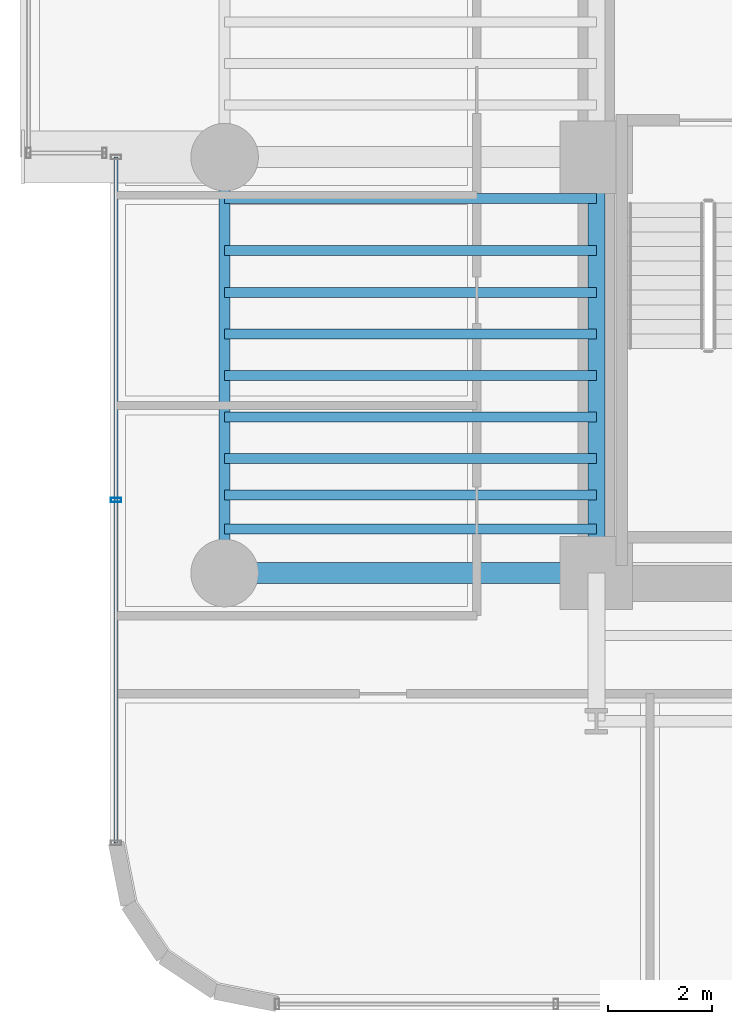
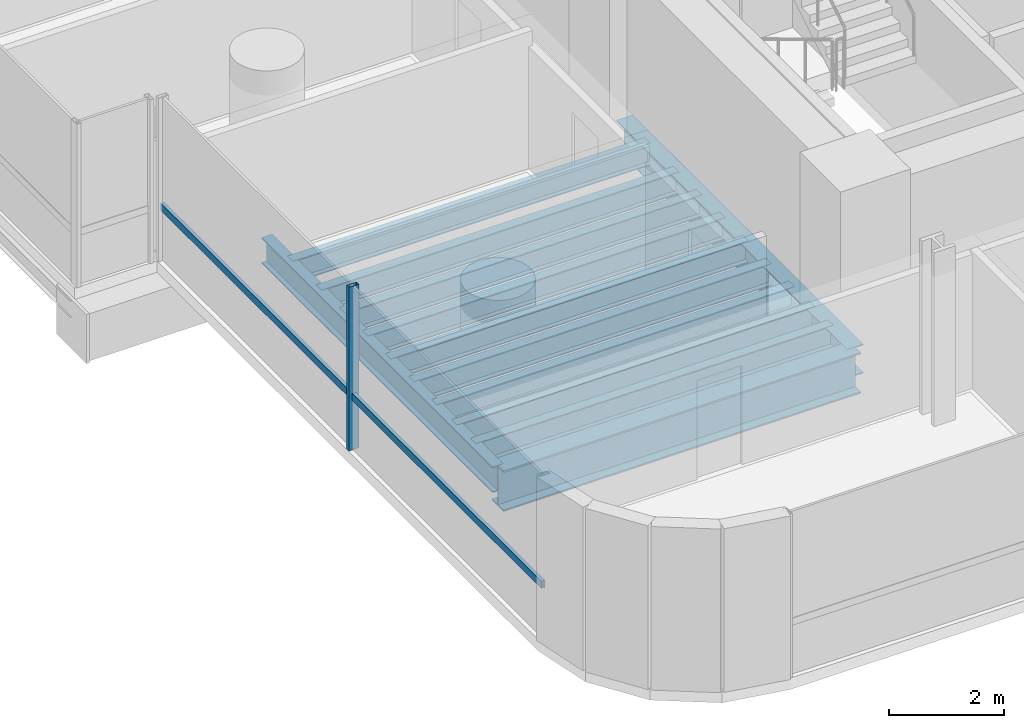
# One storey, part 4 of 38: 12 beams, 2 members, 1 element without a shape of its own.
"""IFC4 building model written with IfcOpenShell, lengths in metres."""

from ifc_helpers import new_model, si_unit, direction, frame, origin, origin_2d, place, context, subcontext, project, spatial, hollow_rectangle, i_section, extrude, source, transform, mapped, material, material_profile, profile_set, type_object, element, aggregate, save


model = new_model("IFC4")

# Units and contexts
model_context = context("Model", 3, precision=1e-05, world=origin(), true_north=direction((0.0, 1.0)))
body_context = subcontext(model_context, "Body", "Model", "MODEL_VIEW")
ifc_project = project(units=[si_unit("LENGTHUNIT", "METRE"), si_unit("AREAUNIT", "SQUARE_METRE"), si_unit("VOLUMEUNIT", "CUBIC_METRE"), si_unit("PLANEANGLEUNIT", "RADIAN"), si_unit("MASSUNIT", "GRAM", prefix="KILO")], contexts=[model_context])

# Site, building, storey
site_placement = place(None, origin())
site = spatial("IfcSite", under=ifc_project, at=site_placement, CompositionType="ELEMENT")
building_placement = place(site_placement, origin())
building = spatial("IfcBuilding", under=site, at=building_placement, Name="Valdorenza Pilgrim Sanctuary Tower", CompositionType="ELEMENT")
storey_placement = place(building_placement, frame((0.0, 0.0, 37.10009765625)))
storey = spatial("IfcBuildingStorey", under=building, at=storey_placement, Name="L08", CompositionType="ELEMENT", Elevation=37.10009765625)

# Beams
ifc_material_1 = material(Name="Steel ASTM A992 Grade 50", Category="steel")
ifc_material_profile_1 = material_profile(ifc_material_1, i_section(OverallWidth=0.214111328125, OverallDepth=0.549072265625, WebThickness=0.0146484375, FlangeThickness=0.023681640625, at=origin_2d()), Name="W21X93")
ifc_profile_set_1 = profile_set([ifc_material_profile_1], Name="Steel ASTM A992 Grade 50")
beam_type_1 = type_object("IfcBeamType", Name="STR-BM-SPN-W21A", PredefinedType="SPANDREL", material=ifc_profile_set_1)
shared_shape_1 = source(origin(), body_context, "Body", "SweptSolid", [
    extrude(i_section(OverallWidth=0.214111328125, OverallDepth=0.549072265625, WebThickness=0.0146484375, FlangeThickness=0.023681640625, at=origin_2d()), origin(), (0.0, 0.0, 1.0), 8.0),
])
beam_1_placement = place(storey_placement, frame((-29.800048828125, -10.60009765625, -0.5146484375), z_axis=(0.0, 1.0, 0.0), x_axis=(-1.0, 0.0, 0.0)))
element("IfcBeam", 1, at=beam_1_placement, inside=storey, type_object=beam_type_1, Name="L08 Spandrel Beam WA-W-S1M0", PredefinedType="SPANDREL", context=body_context, shape_type="MappedRepresentation", body=[
    mapped(shared_shape_1, transform((0.0, 0.0, 0.0), x_axis=(1.0, 0.0, 0.0), y_axis=(0.0, 1.0, 0.0), z_axis=(0.0, 0.0, 1.0), scale=1.0)),
])
ifc_material_profile_2 = material_profile(ifc_material_1, i_section(OverallWidth=0.323974609375, OverallDepth=0.611083984375, WebThickness=0.0126953125, FlangeThickness=0.01904296875, at=origin_2d()), Name="W24X104")
ifc_profile_set_2 = profile_set([ifc_material_profile_2], Name="Steel ASTM A992 Grade 50")
beam_type_2 = type_object("IfcBeamType", Name="STR-BM-GRD-W24B", PredefinedType="BEAM", material=ifc_profile_set_2)
shared_shape_2 = source(origin(), body_context, "Body", "SweptSolid", [
    extrude(i_section(OverallWidth=0.323974609375, OverallDepth=0.611083984375, WebThickness=0.0126953125, FlangeThickness=0.01904296875, at=origin_2d()), origin(), (0.0, 0.0, 1.0), 8.0),
])
beam_2_placement = place(storey_placement, frame((-22.64990234375, -10.60009765625, -0.545654296875), z_axis=(0.0, 1.0, 0.0), x_axis=(-1.0, 0.0, 0.0)))
element("IfcBeam", 2, at=beam_2_placement, inside=storey, type_object=beam_type_2, Name="L08 Core Tie Girder CA-W-S1M0", PredefinedType="BEAM", context=body_context, shape_type="MappedRepresentation", body=[
    mapped(shared_shape_2, transform((0.0, 0.0, 0.0), x_axis=(1.0, 0.0, 0.0), y_axis=(0.0, 1.0, 0.0), z_axis=(0.0, 0.0, 1.0), scale=1.0)),
])
ifc_material_profile_3 = material_profile(ifc_material_1, i_section(OverallWidth=0.193115234375, OverallDepth=0.466064453125, WebThickness=0.011474609375, FlangeThickness=0.01904296875, at=origin_2d()), Name="W18X65")
ifc_profile_set_3 = profile_set([ifc_material_profile_3], Name="Steel ASTM A992 Grade 50")
beam_type_3 = type_object("IfcBeamType", Name="STR-BM-JST-W18A", PredefinedType="JOIST", material=ifc_profile_set_3)
shared_shape_3 = source(origin(), body_context, "Body", "SweptSolid", [
    extrude(i_section(OverallWidth=0.193115234375, OverallDepth=0.466064453125, WebThickness=0.011474609375, FlangeThickness=0.01904296875, at=origin_2d()), origin(), (0.0, 0.0, 1.0), 7.150146484375),
])
for number, where, z_axis, x_axis, name in (
    (3, (-29.800048828125, -9.75, -0.47314453125), (1.0, 0.0, 0.0), (0.0, 1.0, 0.0), "L08 Composite Floor Joist JST-WA-1"),
    (4, (-29.800048828125, -9.10009765625, -0.47314453125), (1.0, 0.0, 0.0), (0.0, 1.0, 0.0), "L08 Composite Floor Joist JST-WA-2"),
    (5, (-29.800048828125, -8.39990234375, -0.47314453125), (1.0, 0.0, 0.0), (0.0, 1.0, 0.0), "L08 Composite Floor Joist JST-WA-3"),
    (6, (-29.800048828125, -7.60009765625, -0.47314453125), (1.0, 0.0, 0.0), (0.0, 1.0, 0.0), "L08 Composite Floor Joist JST-WA-4"),
    (7, (-29.800048828125, -6.800048828125, -0.47314453125), (1.0, 0.0, 0.0), (0.0, 1.0, 0.0), "L08 Composite Floor Joist JST-WA-5"),
    (8, (-29.800048828125, -6.0, -0.47314453125), (1.0, 0.0, 0.0), (0.0, 1.0, 0.0), "L08 Composite Floor Joist JST-WA-6"),
    (9, (-29.800048828125, -5.199951171875, -0.47314453125), (1.0, 0.0, 0.0), (0.0, 1.0, 0.0), "L08 Composite Floor Joist JST-WA-7"),
    (10, (-29.800048828125, -4.39990234375, -0.47314453125), (1.0, 0.0, 0.0), (0.0, 1.0, 0.0), "L08 Composite Floor Joist JST-WA-8"),
    (11, (-29.800048828125, -3.39990234375, -0.47314453125), (1.0, 0.0, 0.0), (0.0, 1.0, 0.0), "L08 Composite Floor Joist JST-WA-9"),
):
    element("IfcBeam", number, at=place(storey_placement, frame(where, z_axis=z_axis, x_axis=x_axis)), inside=storey, type_object=beam_type_3, Name=name, PredefinedType="JOIST", context=body_context, shape_type="MappedRepresentation", body=[
        mapped(shared_shape_3, transform((0.0, 0.0, 0.0), x_axis=(1.0, 0.0, 0.0), y_axis=(0.0, 1.0, 0.0), z_axis=(0.0, 0.0, 1.0), scale=1.0)),
    ])
ifc_material_profile_4 = material_profile(ifc_material_1, i_section(OverallWidth=0.39990234375, OverallDepth=0.862060546875, WebThickness=0.019775390625, FlangeThickness=0.032470703125, at=origin_2d()), Name="W33X221")
ifc_profile_set_4 = profile_set([ifc_material_profile_4], Name="Steel ASTM A992 Grade 50")
beam_type_4 = type_object("IfcBeamType", Name="STR-BM-GRD-W33", PredefinedType="BEAM", material=ifc_profile_set_4)
shared_shape_4 = source(origin(), body_context, "Body", "SweptSolid", [
    extrude(i_section(OverallWidth=0.39990234375, OverallDepth=0.862060546875, WebThickness=0.019775390625, FlangeThickness=0.032470703125, at=origin_2d()), origin(), (0.0, 0.0, 1.0), 7.150146484375),
])
beam_3_placement = place(storey_placement, frame((-29.800048828125, -10.60009765625, -0.671142578125), z_axis=(1.0, 0.0, 0.0), x_axis=(0.0, 1.0, 0.0)))
element("IfcBeam", 12, at=beam_3_placement, inside=storey, type_object=beam_type_4, Name="L08 Floor Girder WA-XW-S1", PredefinedType="BEAM", context=body_context, shape_type="MappedRepresentation", body=[
    mapped(shared_shape_4, transform((0.0, 0.0, 0.0), x_axis=(1.0, 0.0, 0.0), y_axis=(0.0, 1.0, 0.0), z_axis=(0.0, 0.0, 1.0), scale=1.0)),
])

# Curtain wall, members
ifc_material_2 = material(Name="Curtain-wall IGU glazing", Category="glass")
curtain_wall_type = type_object("IfcCurtainWallType", Name="CW-SYS-02", PredefinedType="NOTDEFINED", material=ifc_material_2)
curtain_wall_placement = place(storey_placement, origin())
curtain_wall = element("IfcCurtainWall", 13, at=curtain_wall_placement, inside=storey, type_object=curtain_wall_type, Name="L08 Curtain Wall CW-L08-1-1S1", PredefinedType="NOTDEFINED")
ifc_material_3 = material(Name="Anodised aluminium AW-6060", Category="aluminium")
ifc_material_profile_5 = material_profile(ifc_material_3, hollow_rectangle(XDim=0.0849609375, YDim=0.199951171875, WallThickness=0.0048828125, at=origin_2d()), Name="ALU-M 200x85x5")
ifc_profile_set_5 = profile_set([ifc_material_profile_5], Name="Anodised aluminium AW-6060")
member_type_1 = type_object("IfcMemberType", Name="CW-MUL-02", PredefinedType="MULLION", material=ifc_profile_set_5)
shared_shape_5 = source(origin(), body_context, "Body", "SweptSolid", [
    extrude(hollow_rectangle(XDim=0.0849609375, YDim=0.199951171875, WallThickness=0.0048828125, at=origin_2d()), origin(), (0.0, 0.0, 1.0), 3.4599609375),
])
member_1_placement = place(storey_placement, frame((-31.889892578125, -9.194580078125, 0.0), z_axis=(0.0, 0.0, 1.0), x_axis=(0.0, 1.0, 0.0)))
member_1 = element("IfcMember", 14, at=member_1_placement, type_object=member_type_1, Name="CW-L08-1-1S1 Mullion 2", PredefinedType="MULLION", context=body_context, shape_type="MappedRepresentation", body=[
    mapped(shared_shape_5, transform((0.0, 0.0, 0.0), x_axis=(1.0, 0.0, 0.0), y_axis=(0.0, 1.0, 0.0), z_axis=(0.0, 0.0, 1.0), scale=1.0)),
])
ifc_material_profile_6 = material_profile(ifc_material_3, hollow_rectangle(XDim=0.074951171875, YDim=0.14990234375, WallThickness=0.00390625, at=origin_2d()), Name="ALU-T 150x75x4")
ifc_profile_set_6 = profile_set([ifc_material_profile_6], Name="Anodised aluminium AW-6060")
member_type_2 = type_object("IfcMemberType", Name="CW-TRN-02", PredefinedType="USERDEFINED", material=ifc_profile_set_6)
shared_shape_6 = source(origin(), body_context, "Body", "SweptSolid", [
    extrude(hollow_rectangle(XDim=0.074951171875, YDim=0.14990234375, WallThickness=0.00390625, at=origin_2d()), origin(), (0.0, 0.0, 1.0), 13.189208984375),
])
member_2_placement = place(storey_placement, frame((-31.889892578125, -15.789306640625, 1.119873046875), z_axis=(0.0, 1.0, 0.0), x_axis=(-1.0, 0.0, 0.0)))
member_2 = element("IfcMember", 15, at=member_2_placement, type_object=member_type_2, Name="CW-L08-1-1S1 Transom 1", ObjectType="TRANSOM", PredefinedType="USERDEFINED", context=body_context, shape_type="MappedRepresentation", body=[
    mapped(shared_shape_6, transform((0.0, 0.0, 0.0), x_axis=(1.0, 0.0, 0.0), y_axis=(0.0, 1.0, 0.0), z_axis=(0.0, 0.0, 1.0), scale=1.0)),
])
aggregate(curtain_wall, [member_1, member_2])

save(model, "model.ifc")
